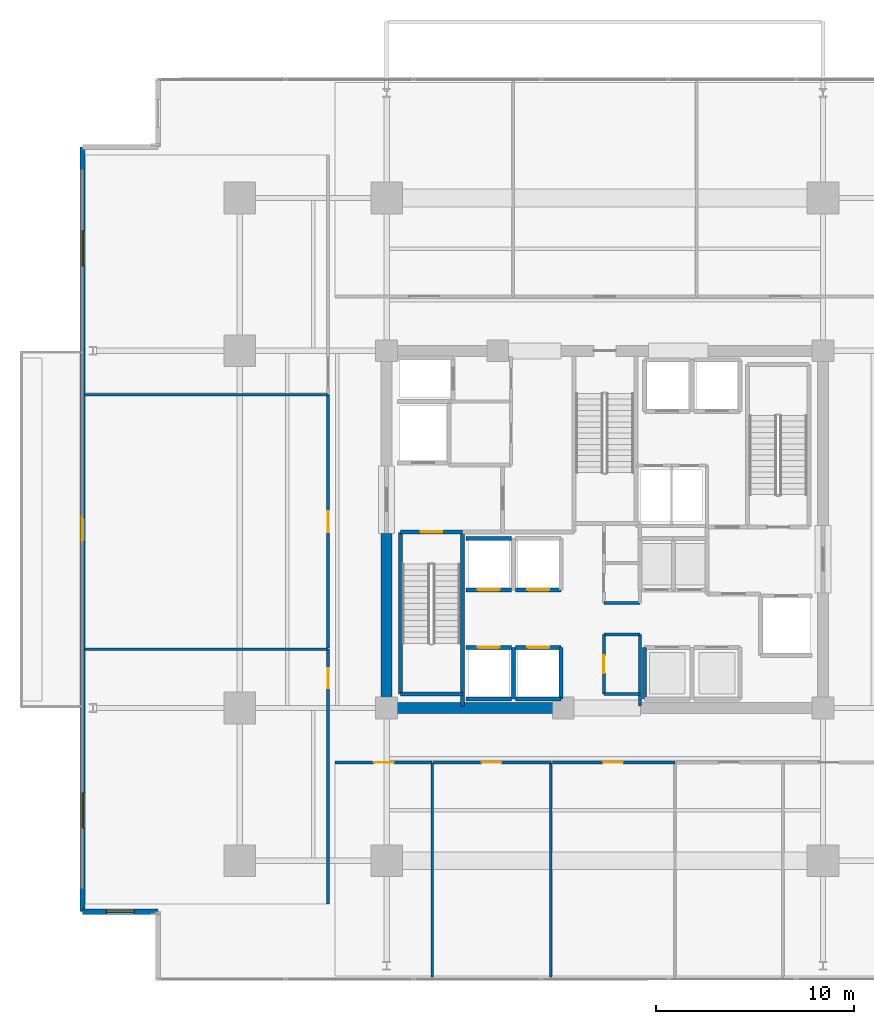
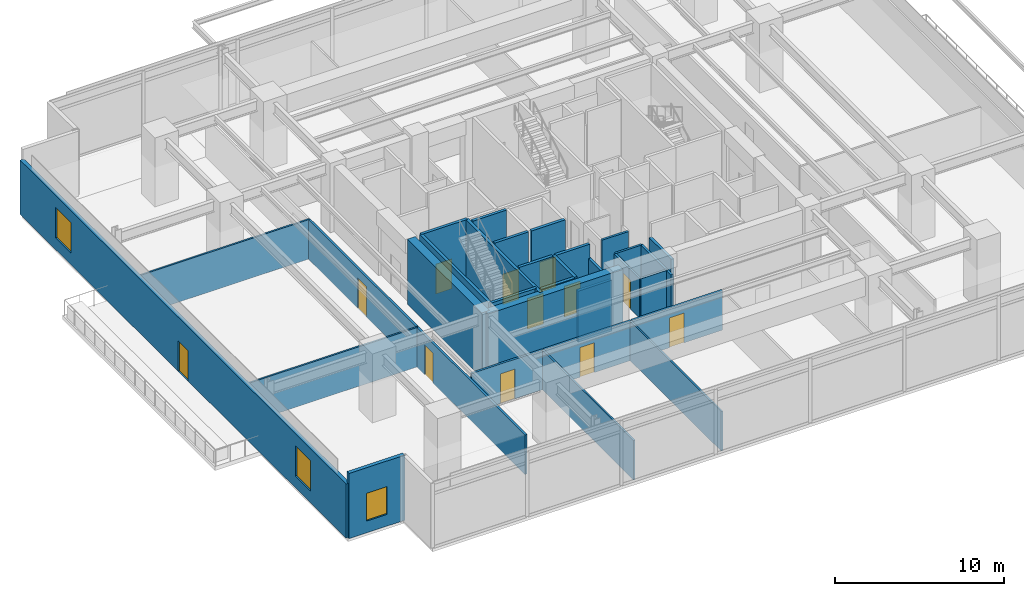
# One storey, part 16 of 24: 32 walls, 12 doors, 3 windows, 15 openings.
"""IFC4 building model written with IfcOpenShell, lengths in metres."""

from ifc_helpers import new_model, si_unit, direction, frame, frame_2d, origin, place, context, subcontext, project, spatial, rectangle, extrude, material, layer, layer_set, type_object, element, fill, save


model = new_model("IFC4")

# Units and contexts
model_context = context("Model", 3, precision=1e-05, world=origin(), true_north=direction((0.0, 1.0)))
body_context = subcontext(model_context, "Body", "Model", "MODEL_VIEW")
ifc_project = project(units=[si_unit("LENGTHUNIT", "METRE"), si_unit("AREAUNIT", "SQUARE_METRE"), si_unit("VOLUMEUNIT", "CUBIC_METRE"), si_unit("PLANEANGLEUNIT", "RADIAN"), si_unit("MASSUNIT", "GRAM", prefix="KILO")], contexts=[model_context])

# Site, building, storey
site_placement = place(None, origin())
site = spatial("IfcSite", under=ifc_project, at=site_placement, CompositionType="ELEMENT")
building_placement = place(site_placement, origin())
building = spatial("IfcBuilding", under=site, at=building_placement, Name="Kovane Verandah Tower", CompositionType="ELEMENT")
storey_placement = place(building_placement, frame((0.0, 0.0, 118.39990234375)))
storey = spatial("IfcBuildingStorey", under=building, at=storey_placement, Name="L27", CompositionType="ELEMENT", Elevation=118.39990234375)

# Walls
ifc_material_1 = material(Name="Fire-Rated Gypsum Stud Partition", Category="gypsum")
ifc_layer_1 = layer(ifc_material_1, 0.14990234375)
ifc_layer_set_1 = layer_set([ifc_layer_1], Name="Fire-Rated Gypsum Stud Partition")
wall_type_1 = type_object("IfcWallType", Name="WL-COR-150", PredefinedType="PARTITIONING", material=ifc_layer_set_1)
for number, where, z_axis, x_axis, name in (
    (1, (39.949951171875, 19.199951171875, 0.0), (0.0, 0.0, 1.0), (1.0, 0.0, 0.0), "L27 Central Core Strip South Wall"),
    (2, (39.949951171875, 22.199951171875, 0.0), (0.0, 0.0, 1.0), (1.0, 0.0, 0.0), "L27 Core Cross-Passage South Wall"),
    (3, (39.949951171875, 23.800048828125, 0.0), (0.0, 0.0, 1.0), (1.0, 0.0, 0.0), "L27 Core Cross-Passage North Wall"),
):
    element("IfcWall", number, at=place(storey_placement, frame(where, z_axis=z_axis, x_axis=x_axis)), inside=storey, type_object=wall_type_1, Name=name, PredefinedType="PARTITIONING", context=body_context, shape_type="SweptSolid", body=[
        extrude(rectangle(XDim=1.81005859375, YDim=0.14990234375, at=frame_2d((0.905029296875, 0.0))), origin(), (0.0, 0.0, 1.0), 2.85009765625),
    ])
wall_1_placement = place(storey_placement, frame((41.760009765625, 18.60009765625, 0.0), z_axis=(0.0, 0.0, 1.0), x_axis=(0.0, 1.0, 0.0)))
element("IfcWall", 4, at=wall_1_placement, inside=storey, type_object=wall_type_1, Name="L27 Central Core Strip Lower East Wall", PredefinedType="PARTITIONING", context=body_context, shape_type="SweptSolid", body=[
    extrude(rectangle(XDim=3.599853515625, YDim=0.14990234375, at=frame_2d((1.7998046875, 0.0))), origin(), (0.0, 0.0, 1.0), 2.85009765625),
])

# Wall, opening, door
wall_2_placement = place(storey_placement, frame((39.949951171875, 19.199951171875, 0.0), z_axis=(0.0, 0.0, 1.0), x_axis=(0.0, 1.0, 0.0)))
wall_2 = element("IfcWall", 5, at=wall_2_placement, inside=storey, type_object=wall_type_1, Name="L27 Male Toilet Partition", PredefinedType="PARTITIONING", context=body_context, shape_type="SweptSolid", body=[
    extrude(rectangle(XDim=3.0, YDim=0.14990234375, at=frame_2d((1.5, 0.0))), origin(), (0.0, 0.0, 1.0), 2.85009765625),
])
opening_1_placement = place(wall_2_placement, frame((1.050048828125, 0.0, 0.0)))
opening_1 = element("IfcOpeningElement", 6, at=opening_1_placement, cuts=wall_2, Name="Opening DR-L27-027", PredefinedType="OPENING", context=body_context, shape_type="SweptSolid", body=[
    extrude(rectangle(XDim=0.89990234375, YDim=2.10009765625, at=frame_2d((0.449951171875, 1.050048828125))), frame((0.0, 0.074951171875, 0.0), z_axis=(0.0, -1.0, 0.0), x_axis=(1.0, 0.0, 0.0)), (0.0, 0.0, 1.0), 0.14990234375),
])
ifc_material_2 = material(Name="Moisture-Resistant Laminate Washroom Door", Category="wood")
door_type_1 = type_object("IfcDoorType", Name="DR-WC-900", OperationType="SINGLE_SWING_LEFT", PredefinedType="DOOR", material=ifc_material_2)
door_1_placement = place(opening_1_placement, origin())
door_1 = element("IfcDoor", 7, at=door_1_placement, inside=storey, type_object=door_type_1, Name="L27 Male Toilet Door", OperationType="SINGLE_SWING_RIGHT", OverallHeight=2.10009765625, OverallWidth=0.89990234375, PredefinedType="DOOR", context=body_context, shape_type="SweptSolid", body=[
    extrude(rectangle(XDim=0.89990234375, YDim=2.10009765625, at=frame_2d((0.449951171875, 1.050048828125))), frame((0.0, 0.02490234375, 0.0), z_axis=(0.0, -1.0, 0.0), x_axis=(1.0, 0.0, 0.0)), (0.0, 0.0, 1.0), 0.050048828125),
])
fill(opening_1, door_1)

wall_3_placement = place(storey_placement, frame((26.39990234375, 15.75, 0.0), z_axis=(0.0, 0.0, 1.0), x_axis=(1.0, 0.0, 0.0)))
wall_3 = element("IfcWall", 8, at=wall_3_placement, inside=storey, type_object=wall_type_1, Name="L27 Meeting Room S1 Corridor Partition", PredefinedType="PARTITIONING", context=body_context, shape_type="SweptSolid", body=[
    extrude(rectangle(XDim=4.89599609375, YDim=0.14990234375, at=frame_2d((2.447998046875, 0.0))), origin(), (0.0, 0.0, 1.0), 2.85009765625),
])
opening_2_placement = place(wall_3_placement, frame((1.962890625, 0.0, 0.0)))
opening_2 = element("IfcOpeningElement", 9, at=opening_2_placement, cuts=wall_3, Name="Opening DR-L27-019", PredefinedType="OPENING", context=body_context, shape_type="SweptSolid", body=[
    extrude(rectangle(XDim=1.0, YDim=2.14990234375, at=frame_2d((0.5, 1.074951171875))), frame((0.0, 0.074951171875, 0.0), z_axis=(0.0, -1.0, 0.0), x_axis=(1.0, 0.0, 0.0)), (0.0, 0.0, 1.0), 0.14990234375),
])
ifc_material_3 = material(Name="FSC Spotted-Gum Timber Fire-Rated Office Door", Category="wood")
door_type_2 = type_object("IfcDoorType", Name="DR-OFF-1000", OperationType="SINGLE_SWING_LEFT", PredefinedType="DOOR", material=ifc_material_3)
door_2_placement = place(opening_2_placement, origin())
door_2 = element("IfcDoor", 10, at=door_2_placement, inside=storey, type_object=door_type_2, Name="L27 Meeting Room S1 Entrance Door", OperationType="SINGLE_SWING_RIGHT", OverallHeight=2.14990234375, OverallWidth=1.0, PredefinedType="DOOR", context=body_context, shape_type="SweptSolid", body=[
    extrude(rectangle(XDim=1.0, YDim=2.14990234375, at=frame_2d((0.5, 1.074951171875))), frame((0.0, 0.02490234375, 0.0), z_axis=(0.0, -1.0, 0.0), x_axis=(1.0, 0.0, 0.0)), (0.0, 0.0, 1.0), 0.050048828125),
])
fill(opening_2, door_2)

wall_4_placement = place(storey_placement, frame((31.365966796875, 15.75, 0.0), z_axis=(0.0, 0.0, 1.0), x_axis=(1.0, 0.0, 0.0)))
wall_4 = element("IfcWall", 11, at=wall_4_placement, inside=storey, type_object=wall_type_1, Name="L27 Focus Studio S2 Corridor Partition", PredefinedType="PARTITIONING", context=body_context, shape_type="SweptSolid", body=[
    extrude(rectangle(XDim=5.9140625, YDim=0.14990234375, at=frame_2d((2.95703125, 0.0))), origin(), (0.0, 0.0, 1.0), 2.85009765625),
])
opening_3_placement = place(wall_4_placement, frame((2.422119140625, 0.0, 0.0)))
opening_3 = element("IfcOpeningElement", 12, at=opening_3_placement, cuts=wall_4, Name="Opening DR-L27-020", PredefinedType="OPENING", context=body_context, shape_type="SweptSolid", body=[
    extrude(rectangle(XDim=1.0, YDim=2.14990234375, at=frame_2d((0.5, 1.074951171875))), frame((0.0, 0.074951171875, 0.0), z_axis=(0.0, -1.0, 0.0), x_axis=(1.0, 0.0, 0.0)), (0.0, 0.0, 1.0), 0.14990234375),
])
door_3_placement = place(opening_3_placement, origin())
door_3 = element("IfcDoor", 13, at=door_3_placement, inside=storey, type_object=door_type_2, Name="L27 Focus Studio S2 Entrance Door", OperationType="SINGLE_SWING_LEFT", OverallHeight=2.14990234375, OverallWidth=1.0, PredefinedType="DOOR", context=body_context, shape_type="SweptSolid", body=[
    extrude(rectangle(XDim=1.0, YDim=2.14990234375, at=frame_2d((0.5, 1.074951171875))), frame((0.0, 0.02490234375, 0.0), z_axis=(0.0, -1.0, 0.0), x_axis=(1.0, 0.0, 0.0)), (0.0, 0.0, 1.0), 0.050048828125),
])
fill(opening_3, door_3)

wall_5_placement = place(storey_placement, frame((37.35009765625, 15.75, 0.0), z_axis=(0.0, 0.0, 1.0), x_axis=(1.0, 0.0, 0.0)))
wall_5 = element("IfcWall", 14, at=wall_5_placement, inside=storey, type_object=wall_type_1, Name="L27 Breakout Pantry S3 Corridor Partition", PredefinedType="PARTITIONING", context=body_context, shape_type="SweptSolid", body=[
    extrude(rectangle(XDim=6.185791015625, YDim=0.14990234375, at=frame_2d((3.0927734375, 0.0))), origin(), (0.0, 0.0, 1.0), 2.85009765625),
])
opening_4_placement = place(wall_5_placement, frame((2.55810546875, 0.0, 0.0)))
opening_4 = element("IfcOpeningElement", 15, at=opening_4_placement, cuts=wall_5, Name="Opening DR-L27-021", PredefinedType="OPENING", context=body_context, shape_type="SweptSolid", body=[
    extrude(rectangle(XDim=1.0, YDim=2.14990234375, at=frame_2d((0.5, 1.074951171875))), frame((0.0, 0.074951171875, 0.0), z_axis=(0.0, -1.0, 0.0), x_axis=(1.0, 0.0, 0.0)), (0.0, 0.0, 1.0), 0.14990234375),
])
door_4_placement = place(opening_4_placement, origin())
door_4 = element("IfcDoor", 16, at=door_4_placement, inside=storey, type_object=door_type_2, Name="L27 Breakout Pantry S3 Entrance Door", OperationType="SINGLE_SWING_RIGHT", OverallHeight=2.14990234375, OverallWidth=1.0, PredefinedType="DOOR", context=body_context, shape_type="SweptSolid", body=[
    extrude(rectangle(XDim=1.0, YDim=2.14990234375, at=frame_2d((0.5, 1.074951171875))), frame((0.0, 0.02490234375, 0.0), z_axis=(0.0, -1.0, 0.0), x_axis=(1.0, 0.0, 0.0)), (0.0, 0.0, 1.0), 0.050048828125),
])
fill(opening_4, door_4)

wall_6_placement = place(storey_placement, frame((26.050048828125, 8.629150390625, 0.0), z_axis=(0.0, 0.0, 1.0), x_axis=(0.0, 1.0, 0.0)))
wall_6 = element("IfcWall", 17, at=wall_6_placement, inside=storey, type_object=wall_type_1, Name="L27 Open Plan Office W1 Corridor Partition", PredefinedType="PARTITIONING", context=body_context, shape_type="SweptSolid", body=[
    extrude(rectangle(XDim=12.83203125, YDim=0.14990234375, at=frame_2d((6.416015625, 0.0))), origin(), (0.0, 0.0, 1.0), 2.85009765625),
])
opening_5_placement = place(wall_6_placement, frame((10.86669921875, 0.0, 0.0)))
opening_5 = element("IfcOpeningElement", 18, at=opening_5_placement, cuts=wall_6, Name="Opening DR-L27-028", PredefinedType="OPENING", context=body_context, shape_type="SweptSolid", body=[
    extrude(rectangle(XDim=1.0, YDim=2.14990234375, at=frame_2d((0.5, 1.074951171875))), frame((0.0, 0.074951171875, 0.0), z_axis=(0.0, -1.0, 0.0), x_axis=(1.0, 0.0, 0.0)), (0.0, 0.0, 1.0), 0.14990234375),
])
door_5_placement = place(opening_5_placement, origin())
door_5 = element("IfcDoor", 19, at=door_5_placement, inside=storey, type_object=door_type_2, Name="L27 Open Plan Office W1 Entrance Door", OperationType="SINGLE_SWING_LEFT", OverallHeight=2.14990234375, OverallWidth=1.0, PredefinedType="DOOR", context=body_context, shape_type="SweptSolid", body=[
    extrude(rectangle(XDim=1.0, YDim=2.14990234375, at=frame_2d((0.5, 1.074951171875))), frame((0.0, 0.02490234375, 0.0), z_axis=(0.0, -1.0, 0.0), x_axis=(1.0, 0.0, 0.0)), (0.0, 0.0, 1.0), 0.050048828125),
])
fill(opening_5, door_5)

wall_7_placement = place(storey_placement, frame((26.050048828125, 21.53125, 0.0), z_axis=(0.0, 0.0, 1.0), x_axis=(0.0, 1.0, 0.0)))
wall_7 = element("IfcWall", 20, at=wall_7_placement, inside=storey, type_object=wall_type_1, Name="L27 Executive Office W2 Corridor Partition", PredefinedType="PARTITIONING", context=body_context, shape_type="SweptSolid", body=[
    extrude(rectangle(XDim=12.76220703125, YDim=0.14990234375, at=frame_2d((6.381103515625, 0.0))), origin(), (0.0, 0.0, 1.0), 2.85009765625),
])
opening_6_placement = place(wall_7_placement, frame((5.821044921875, 0.0, 0.0)))
opening_6 = element("IfcOpeningElement", 21, at=opening_6_placement, cuts=wall_7, Name="Opening DR-L27-029", PredefinedType="OPENING", context=body_context, shape_type="SweptSolid", body=[
    extrude(rectangle(XDim=1.050048828125, YDim=2.199951171875, at=frame_2d((0.52490234375, 1.10009765625))), frame((0.0, 0.074951171875, 0.0), z_axis=(0.0, -1.0, 0.0), x_axis=(1.0, 0.0, 0.0)), (0.0, 0.0, 1.0), 0.14990234375),
])
ifc_material_4 = material(Name="FSC Blackbutt Timber Fire-Rated Executive Door", Category="wood")
door_type_3 = type_object("IfcDoorType", Name="DR-EXEC-1050", OperationType="SINGLE_SWING_LEFT", PredefinedType="DOOR", material=ifc_material_4)
door_6_placement = place(opening_6_placement, origin())
door_6 = element("IfcDoor", 22, at=door_6_placement, inside=storey, type_object=door_type_3, Name="L27 Executive Office W2 Entrance Door", OperationType="SINGLE_SWING_RIGHT", OverallHeight=2.199951171875, OverallWidth=1.050048828125, PredefinedType="DOOR", context=body_context, shape_type="SweptSolid", body=[
    extrude(rectangle(XDim=1.050048828125, YDim=2.199951171875, at=frame_2d((0.52490234375, 1.10009765625))), frame((0.0, 0.02490234375, 0.0), z_axis=(0.0, -1.0, 0.0), x_axis=(1.0, 0.0, 0.0)), (0.0, 0.0, 1.0), 0.050048828125),
])
fill(opening_6, door_6)

# Walls
ifc_material_5 = material(Name="Concrete C60/75", Category="concrete")
ifc_layer_2 = layer(ifc_material_5, 0.550048828125)
ifc_layer_set_2 = layer_set([ifc_layer_2], Name="Concrete C60/75")
wall_type_2 = type_object("IfcWallType", Name="WL-CORE-550", PredefinedType="SHEAR", material=ifc_layer_set_2)
wall_8_placement = place(storey_placement, frame((29.0, 18.5, 0.0), z_axis=(0.0, 0.0, 1.0), x_axis=(1.0, 0.0, 0.0)))
element("IfcWall", 23, at=wall_8_placement, inside=storey, type_object=wall_type_2, Name="L27 Core Shear Wall CS-1", PredefinedType="SHEAR", context=body_context, shape_type="SweptSolid", body=[
    extrude(rectangle(XDim=9.199951171875, YDim=0.550048828125, at=frame_2d((4.60009765625, 0.0))), origin(), (0.0, 0.0, 1.0), 4.7001953125),
])
wall_9_placement = place(storey_placement, frame((29.0, 18.5, 0.0), z_axis=(0.0, 0.0, 1.0), x_axis=(0.0, 1.0, 0.0)))
element("IfcWall", 24, at=wall_9_placement, inside=storey, type_object=wall_type_2, Name="L27 Core Shear Wall CW-1", PredefinedType="SHEAR", context=body_context, shape_type="SweptSolid", body=[
    extrude(rectangle(XDim=8.800048828125, YDim=0.550048828125, at=frame_2d((4.39990234375, 0.0))), origin(), (0.0, 0.0, 1.0), 4.7001953125),
])
ifc_material_6 = material(Name="Concrete C45/55 Lift Shaft Wall", Category="concrete")
ifc_layer_3 = layer(ifc_material_6, 0.199951171875)
ifc_layer_set_3 = layer_set([ifc_layer_3], Name="Concrete C45/55 Lift Shaft Wall")
wall_type_3 = type_object("IfcWallType", Name="WL-LIFT-200", PredefinedType="SOLIDWALL", material=ifc_layer_set_3)
wall_10_placement = place(storey_placement, frame((33.0, 18.949951171875, 0.0), z_axis=(0.0, 0.0, 1.0), x_axis=(1.0, 0.0, 0.0)))
element("IfcWall", 25, at=wall_10_placement, inside=storey, type_object=wall_type_3, Name="L27 Lift PL-L1 S Shaft Wall", PredefinedType="SOLIDWALL", context=body_context, shape_type="SweptSolid", body=[
    extrude(rectangle(XDim=2.300048828125, YDim=0.199951171875, at=frame_2d((1.14990234375, 0.0))), origin(), (0.0, 0.0, 1.0), 4.7001953125),
])

# Wall, opening, door
wall_11_placement = place(storey_placement, frame((35.300048828125, 21.550048828125, 0.0), z_axis=(0.0, 0.0, 1.0), x_axis=(-1.0, 0.0, 0.0)))
wall_11 = element("IfcWall", 26, at=wall_11_placement, inside=storey, type_object=wall_type_3, Name="L27 Lift PL-L1 N Shaft Wall", PredefinedType="SOLIDWALL", context=body_context, shape_type="SweptSolid", body=[
    extrude(rectangle(XDim=2.300048828125, YDim=0.199951171875, at=frame_2d((1.14990234375, 0.0))), origin(), (0.0, 0.0, 1.0), 4.7001953125),
])
opening_7_placement = place(wall_11_placement, frame((0.60009765625, 0.0, 0.0)))
opening_7 = element("IfcOpeningElement", 27, at=opening_7_placement, cuts=wall_11, Name="Opening LD-L27-005", PredefinedType="OPENING", context=body_context, shape_type="SweptSolid", body=[
    extrude(rectangle(XDim=1.10009765625, YDim=2.199951171875, at=frame_2d((0.550048828125, 1.10009765625))), frame((0.0, 0.10009765625, 0.0), z_axis=(0.0, -1.0, 0.0), x_axis=(1.0, 0.0, 0.0)), (0.0, 0.0, 1.0), 0.199951171875),
])
ifc_material_7 = material(Name="Brushed Stainless Steel Sliding Lift Landing Door", Category="steel")
door_type_4 = type_object("IfcDoorType", Name="DR-LIFT-1100", OperationType="SLIDING_TO_RIGHT", PredefinedType="DOOR", material=ifc_material_7)
door_7_placement = place(opening_7_placement, origin())
door_7 = element("IfcDoor", 28, at=door_7_placement, inside=storey, type_object=door_type_4, Name="L27 Lift PL-L1 Sliding Landing Door", OperationType="SLIDING_TO_RIGHT", OverallHeight=2.199951171875, OverallWidth=1.10009765625, PredefinedType="DOOR", context=body_context, shape_type="SweptSolid", body=[
    extrude(rectangle(XDim=1.10009765625, YDim=2.199951171875, at=frame_2d((0.550048828125, 1.10009765625))), frame((0.0, 0.02490234375, 0.0), z_axis=(0.0, -1.0, 0.0), x_axis=(1.0, 0.0, 0.0)), (0.0, 0.0, 1.0), 0.050048828125),
])
fill(opening_7, door_7)

# Walls
wall_12_placement = place(storey_placement, frame((35.39990234375, 18.949951171875, 0.0), z_axis=(0.0, 0.0, 1.0), x_axis=(0.0, 1.0, 0.0)))
element("IfcWall", 29, at=wall_12_placement, inside=storey, type_object=wall_type_3, Name="L27 Lift PL-L1 and PL-L2 Shared Shaft Wall", PredefinedType="SOLIDWALL", context=body_context, shape_type="SweptSolid", body=[
    extrude(rectangle(XDim=2.60009765625, YDim=0.199951171875, at=frame_2d((1.300048828125, 0.0))), origin(), (0.0, 0.0, 1.0), 4.7001953125),
])
wall_13_placement = place(storey_placement, frame((35.5, 18.949951171875, 0.0), z_axis=(0.0, 0.0, 1.0), x_axis=(1.0, 0.0, 0.0)))
element("IfcWall", 30, at=wall_13_placement, inside=storey, type_object=wall_type_3, Name="L27 Lift PL-L2 S Shaft Wall", PredefinedType="SOLIDWALL", context=body_context, shape_type="SweptSolid", body=[
    extrude(rectangle(XDim=2.300048828125, YDim=0.199951171875, at=frame_2d((1.14990234375, 0.0))), origin(), (0.0, 0.0, 1.0), 3.68017578125),
])

# Wall, opening, door
wall_14_placement = place(storey_placement, frame((37.800048828125, 21.550048828125, 0.0), z_axis=(0.0, 0.0, 1.0), x_axis=(-1.0, 0.0, 0.0)))
wall_14 = element("IfcWall", 31, at=wall_14_placement, inside=storey, type_object=wall_type_3, Name="L27 Lift PL-L2 N Shaft Wall", PredefinedType="SOLIDWALL", context=body_context, shape_type="SweptSolid", body=[
    extrude(rectangle(XDim=2.300048828125, YDim=0.199951171875, at=frame_2d((1.14990234375, 0.0))), origin(), (0.0, 0.0, 1.0), 4.7001953125),
])
opening_8_placement = place(wall_14_placement, frame((0.60009765625, 0.0, 0.0)))
opening_8 = element("IfcOpeningElement", 32, at=opening_8_placement, cuts=wall_14, Name="Opening LD-L27-006", PredefinedType="OPENING", context=body_context, shape_type="SweptSolid", body=[
    extrude(rectangle(XDim=1.10009765625, YDim=2.199951171875, at=frame_2d((0.550048828125, 1.10009765625))), frame((0.0, 0.10009765625, 0.0), z_axis=(0.0, -1.0, 0.0), x_axis=(1.0, 0.0, 0.0)), (0.0, 0.0, 1.0), 0.199951171875),
])
door_8_placement = place(opening_8_placement, origin())
door_8 = element("IfcDoor", 33, at=door_8_placement, inside=storey, type_object=door_type_4, Name="L27 Lift PL-L2 Sliding Landing Door", OperationType="SLIDING_TO_RIGHT", OverallHeight=2.199951171875, OverallWidth=1.10009765625, PredefinedType="DOOR", context=body_context, shape_type="SweptSolid", body=[
    extrude(rectangle(XDim=1.10009765625, YDim=2.199951171875, at=frame_2d((0.550048828125, 1.10009765625))), frame((0.0, 0.02490234375, 0.0), z_axis=(0.0, -1.0, 0.0), x_axis=(1.0, 0.0, 0.0)), (0.0, 0.0, 1.0), 0.050048828125),
])
fill(opening_8, door_8)

# Wall
wall_15_placement = place(storey_placement, frame((37.800048828125, 18.949951171875, 0.0), z_axis=(0.0, 0.0, 1.0), x_axis=(0.0, 1.0, 0.0)))
element("IfcWall", 34, at=wall_15_placement, inside=storey, type_object=wall_type_3, Name="L27 Lift PL-L2 E Shaft Wall", PredefinedType="SOLIDWALL", context=body_context, shape_type="SweptSolid", body=[
    extrude(rectangle(XDim=2.60009765625, YDim=0.199951171875, at=frame_2d((1.300048828125, 0.0))), origin(), (0.0, 0.0, 1.0), 3.68017578125),
])

# Wall, opening, door
wall_16_placement = place(storey_placement, frame((33.0, 24.449951171875, 0.0), z_axis=(0.0, 0.0, 1.0), x_axis=(1.0, 0.0, 0.0)))
wall_16 = element("IfcWall", 35, at=wall_16_placement, inside=storey, type_object=wall_type_3, Name="L27 Lift PL-L3 S Shaft Wall", PredefinedType="SOLIDWALL", context=body_context, shape_type="SweptSolid", body=[
    extrude(rectangle(XDim=2.300048828125, YDim=0.199951171875, at=frame_2d((1.14990234375, 0.0))), origin(), (0.0, 0.0, 1.0), 4.7001953125),
])
opening_9_placement = place(wall_16_placement, frame((0.60009765625, 0.0, 0.0)))
opening_9 = element("IfcOpeningElement", 36, at=opening_9_placement, cuts=wall_16, Name="Opening LD-L27-007", PredefinedType="OPENING", context=body_context, shape_type="SweptSolid", body=[
    extrude(rectangle(XDim=1.10009765625, YDim=2.199951171875, at=frame_2d((0.550048828125, 1.10009765625))), frame((0.0, 0.10009765625, 0.0), z_axis=(0.0, -1.0, 0.0), x_axis=(1.0, 0.0, 0.0)), (0.0, 0.0, 1.0), 0.199951171875),
])
door_9_placement = place(opening_9_placement, origin())
door_9 = element("IfcDoor", 37, at=door_9_placement, inside=storey, type_object=door_type_4, Name="L27 Lift PL-L3 Sliding Landing Door", OperationType="SLIDING_TO_RIGHT", OverallHeight=2.199951171875, OverallWidth=1.10009765625, PredefinedType="DOOR", context=body_context, shape_type="SweptSolid", body=[
    extrude(rectangle(XDim=1.10009765625, YDim=2.199951171875, at=frame_2d((0.550048828125, 1.10009765625))), frame((0.0, 0.02490234375, 0.0), z_axis=(0.0, -1.0, 0.0), x_axis=(1.0, 0.0, 0.0)), (0.0, 0.0, 1.0), 0.050048828125),
])
fill(opening_9, door_9)

# Wall
wall_17_placement = place(storey_placement, frame((35.300048828125, 27.050048828125, 0.0), z_axis=(0.0, 0.0, 1.0), x_axis=(-1.0, 0.0, 0.0)))
element("IfcWall", 38, at=wall_17_placement, inside=storey, type_object=wall_type_3, Name="L27 Lift PL-L3 N Shaft Wall", PredefinedType="SOLIDWALL", context=body_context, shape_type="SweptSolid", body=[
    extrude(rectangle(XDim=2.300048828125, YDim=0.199951171875, at=frame_2d((1.14990234375, 0.0))), origin(), (0.0, 0.0, 1.0), 4.7001953125),
])

# Wall, opening, door
wall_18_placement = place(storey_placement, frame((35.5, 24.449951171875, 0.0), z_axis=(0.0, 0.0, 1.0), x_axis=(1.0, 0.0, 0.0)))
wall_18 = element("IfcWall", 39, at=wall_18_placement, inside=storey, type_object=wall_type_3, Name="L27 Lift PL-L4 S Shaft Wall", PredefinedType="SOLIDWALL", context=body_context, shape_type="SweptSolid", body=[
    extrude(rectangle(XDim=2.300048828125, YDim=0.199951171875, at=frame_2d((1.14990234375, 0.0))), origin(), (0.0, 0.0, 1.0), 4.7001953125),
])
opening_10_placement = place(wall_18_placement, frame((0.60009765625, 0.0, 0.0)))
opening_10 = element("IfcOpeningElement", 40, at=opening_10_placement, cuts=wall_18, Name="Opening LD-L27-008", PredefinedType="OPENING", context=body_context, shape_type="SweptSolid", body=[
    extrude(rectangle(XDim=1.10009765625, YDim=2.199951171875, at=frame_2d((0.550048828125, 1.10009765625))), frame((0.0, 0.10009765625, 0.0), z_axis=(0.0, -1.0, 0.0), x_axis=(1.0, 0.0, 0.0)), (0.0, 0.0, 1.0), 0.199951171875),
])
door_10_placement = place(opening_10_placement, origin())
door_10 = element("IfcDoor", 41, at=door_10_placement, inside=storey, type_object=door_type_4, Name="L27 Lift PL-L4 Sliding Landing Door", OperationType="SLIDING_TO_RIGHT", OverallHeight=2.199951171875, OverallWidth=1.10009765625, PredefinedType="DOOR", context=body_context, shape_type="SweptSolid", body=[
    extrude(rectangle(XDim=1.10009765625, YDim=2.199951171875, at=frame_2d((0.550048828125, 1.10009765625))), frame((0.0, 0.02490234375, 0.0), z_axis=(0.0, -1.0, 0.0), x_axis=(1.0, 0.0, 0.0)), (0.0, 0.0, 1.0), 0.050048828125),
])
fill(opening_10, door_10)

# Walls
wall_19_placement = place(storey_placement, frame((42.0, 21.550048828125, 0.0), z_axis=(0.0, 0.0, 1.0), x_axis=(0.0, -1.0, 0.0)))
element("IfcWall", 42, at=wall_19_placement, inside=storey, type_object=wall_type_3, Name="L27 Lift PL-M1 W Shaft Wall", PredefinedType="SOLIDWALL", context=body_context, shape_type="SweptSolid", body=[
    extrude(rectangle(XDim=2.60009765625, YDim=0.199951171875, at=frame_2d((1.300048828125, 0.0))), origin(), (0.0, 0.0, 1.0), 3.68017578125),
])
ifc_material_8 = material(Name="Acoustic Fire-Rated Gypsum Partition", Category="gypsum")
ifc_layer_4 = layer(ifc_material_8, 0.1201171875)
ifc_layer_set_4 = layer_set([ifc_layer_4], Name="Acoustic Fire-Rated Gypsum Partition")
wall_type_4 = type_object("IfcWallType", Name="WL-PART-120", PredefinedType="PARTITIONING", material=ifc_layer_set_4)
for number, where, z_axis, x_axis, name in (
    (43, (31.2958984375, 4.92919921875, 0.0), (0.0, 0.0, 1.0), (0.0, 1.0, 0.0), "L27 Meeting Room S1 Dividing Partition"),
    (44, (37.280029296875, 4.92919921875, 0.0), (0.0, 0.0, 1.0), (0.0, 1.0, 0.0), "L27 Focus Studio S2 Dividing Partition"),
):
    element("IfcWall", number, at=place(storey_placement, frame(where, z_axis=z_axis, x_axis=x_axis)), inside=storey, type_object=wall_type_4, Name=name, PredefinedType="PARTITIONING", context=body_context, shape_type="SweptSolid", body=[
        extrude(rectangle(XDim=10.82080078125, YDim=0.1201171875, at=frame_2d((5.410400390625, 0.0))), origin(), (0.0, 0.0, 1.0), 2.85009765625),
    ])
for number, where, z_axis, x_axis, name in (
    (45, (13.77001953125, 21.461181640625, 0.0), (0.0, 0.0, 1.0), (1.0, 0.0, 0.0), "L27 Open Plan Office W1 Dividing Partition"),
    (46, (13.77001953125, 34.29345703125, 0.0), (0.0, 0.0, 1.0), (1.0, 0.0, 0.0), "L27 Executive Office W2 Dividing Partition"),
):
    element("IfcWall", number, at=place(storey_placement, frame(where, z_axis=z_axis, x_axis=x_axis)), inside=storey, type_object=wall_type_4, Name=name, PredefinedType="PARTITIONING", context=body_context, shape_type="SweptSolid", body=[
        extrude(rectangle(XDim=12.280029296875, YDim=0.1201171875, at=frame_2d((6.14013671875, 0.0))), origin(), (0.0, 0.0, 1.0), 2.85009765625),
    ])
ifc_material_9 = material(Name="Concrete C45/55", Category="concrete")
ifc_layer_5 = layer(ifc_material_9, 0.199951171875)
ifc_layer_set_5 = layer_set([ifc_layer_5], Name="Concrete C45/55")
wall_type_5 = type_object("IfcWallType", Name="WL-SHAFT-200", PredefinedType="SOLIDWALL", material=ifc_layer_set_5)
wall_20_placement = place(storey_placement, frame((29.699951171875, 19.199951171875, 0.0), z_axis=(0.0, 0.0, 1.0), x_axis=(0.0, 1.0, 0.0)))
element("IfcWall", 47, at=wall_20_placement, inside=storey, type_object=wall_type_5, Name="W-L27-ST01-W", PredefinedType="SOLIDWALL", context=body_context, shape_type="SweptSolid", body=[
    extrude(rectangle(XDim=8.150146484375, YDim=0.199951171875, at=frame_2d((4.0751953125, 0.0))), origin(), (0.0, 0.0, 1.0), 4.7001953125),
])
wall_21_placement = place(storey_placement, frame((29.699951171875, 19.199951171875, 0.0), z_axis=(0.0, 0.0, 1.0), x_axis=(1.0, 0.0, 0.0)))
element("IfcWall", 48, at=wall_21_placement, inside=storey, type_object=wall_type_5, Name="W-L27-ST01-S", PredefinedType="SOLIDWALL", context=body_context, shape_type="SweptSolid", body=[
    extrude(rectangle(XDim=3.1201171875, YDim=0.199951171875, at=frame_2d((1.56005859375, 0.0))), origin(), (0.0, 0.0, 1.0), 4.7001953125),
])
wall_22_placement = place(storey_placement, frame((32.820068359375, 18.60009765625, 0.0), z_axis=(0.0, 0.0, 1.0), x_axis=(0.0, 1.0, 0.0)))
element("IfcWall", 49, at=wall_22_placement, inside=storey, type_object=wall_type_5, Name="W-L27-ST01-E", PredefinedType="SOLIDWALL", context=body_context, shape_type="SweptSolid", body=[
    extrude(rectangle(XDim=8.77978515625, YDim=0.199951171875, at=frame_2d((4.389892578125, 0.0))), origin(), (0.0, 0.0, 1.0), 4.7001953125),
])

# Wall, opening, door
wall_23_placement = place(storey_placement, frame((29.699951171875, 27.3798828125, 0.0), z_axis=(0.0, 0.0, 1.0), x_axis=(1.0, 0.0, 0.0)))
wall_23 = element("IfcWall", 50, at=wall_23_placement, inside=storey, type_object=wall_type_5, Name="W-L27-ST01-N", PredefinedType="SOLIDWALL", context=body_context, shape_type="SweptSolid", body=[
    extrude(rectangle(XDim=3.1201171875, YDim=0.199951171875, at=frame_2d((1.56005859375, 0.0))), origin(), (0.0, 0.0, 1.0), 4.7001953125),
])
opening_11_placement = place(wall_23_placement, frame((1.010009765625, 0.0, 0.0)))
opening_11 = element("IfcOpeningElement", 51, at=opening_11_placement, cuts=wall_23, Name="Opening DR-L27-009", PredefinedType="OPENING", context=body_context, shape_type="SweptSolid", body=[
    extrude(rectangle(XDim=1.10009765625, YDim=2.14990234375, at=frame_2d((0.550048828125, 1.074951171875))), frame((0.0, 0.10009765625, 0.0), z_axis=(0.0, -1.0, 0.0), x_axis=(1.0, 0.0, 0.0)), (0.0, 0.0, 1.0), 0.199951171875),
])
ifc_material_10 = material(Name="Fire-Rated Steel Exit Door", Category="steel")
door_type_5 = type_object("IfcDoorType", Name="DR-STAIR-1100", OperationType="SINGLE_SWING_LEFT", PredefinedType="DOOR", material=ifc_material_10)
door_11_placement = place(opening_11_placement, origin())
door_11 = element("IfcDoor", 52, at=door_11_placement, inside=storey, type_object=door_type_5, Name="L27 ST-01 Fire Exit Stair Door", OperationType="SINGLE_SWING_LEFT", OverallHeight=2.14990234375, OverallWidth=1.10009765625, PredefinedType="DOOR", context=body_context, shape_type="SweptSolid", body=[
    extrude(rectangle(XDim=1.10009765625, YDim=2.14990234375, at=frame_2d((0.550048828125, 1.074951171875))), frame((0.0, 0.02490234375, 0.0), z_axis=(0.0, -1.0, 0.0), x_axis=(1.0, 0.0, 0.0)), (0.0, 0.0, 1.0), 0.050048828125),
])
fill(opening_11, door_11)

# Wall, openings, door, windows
ifc_material_11 = material(Name="Concrete C45/55 Insulated Spandrel Wall", Category="concrete")
ifc_layer_6 = layer(ifc_material_11, 0.260009765625)
ifc_layer_set_6 = layer_set([ifc_layer_6], Name="Concrete C45/55 Insulated Spandrel Wall")
wall_type_6 = type_object("IfcWallType", Name="WL-SPANDREL-260", PredefinedType="PARAPET", material=ifc_layer_set_6)
wall_24_placement = place(storey_placement, frame((13.670166015625, 46.77099609375, 0.0), z_axis=(0.0, 0.0, 1.0), x_axis=(0.0, -1.0, 0.0)))
wall_24 = element("IfcWall", 53, at=wall_24_placement, inside=storey, type_object=wall_type_6, Name="L27 W Verandah Access Facade Wall", PredefinedType="PARAPET", context=body_context, shape_type="SweptSolid", body=[
    extrude(rectangle(XDim=38.5419921875, YDim=0.260009765625, at=frame_2d((19.27099609375, 0.0))), origin(), (0.0, 0.0, 1.0), 3.910400390625),
])
opening_12_placement = place(wall_24_placement, frame((4.199951171875, 0.0, 0.85009765625)))
opening_12 = element("IfcOpeningElement", 54, at=opening_12_placement, cuts=wall_24, Name="Opening W-03", PredefinedType="OPENING", context=body_context, shape_type="SweptSolid", body=[
    extrude(rectangle(XDim=1.800048828125, YDim=2.199951171875, at=frame_2d((0.89990234375, 1.10009765625))), frame((0.0, 0.1298828125, 0.0), z_axis=(0.0, -1.0, 0.0), x_axis=(1.0, 0.0, 0.0)), (0.0, 0.0, 1.0), 0.260009765625),
])
opening_13_placement = place(wall_24_placement, frame((18.6708984375, 0.0, 0.0)))
opening_13 = element("IfcOpeningElement", 55, at=opening_13_placement, cuts=wall_24, Name="Opening DR-L27-002", PredefinedType="OPENING", context=body_context, shape_type="SweptSolid", body=[
    extrude(rectangle(XDim=1.199951171875, YDim=2.199951171875, at=frame_2d((0.60009765625, 1.10009765625))), frame((0.0, 0.1298828125, 0.0), z_axis=(0.0, -1.0, 0.0), x_axis=(1.0, 0.0, 0.0)), (0.0, 0.0, 1.0), 0.260009765625),
])
opening_14_placement = place(wall_24_placement, frame((32.541748046875, 0.0, 0.85009765625)))
opening_14 = element("IfcOpeningElement", 56, at=opening_14_placement, cuts=wall_24, Name="Opening W-03", PredefinedType="OPENING", context=body_context, shape_type="SweptSolid", body=[
    extrude(rectangle(XDim=1.800048828125, YDim=2.199951171875, at=frame_2d((0.89990234375, 1.10009765625))), frame((0.0, 0.1298828125, 0.0), z_axis=(0.0, -1.0, 0.0), x_axis=(1.0, 0.0, 0.0)), (0.0, 0.0, 1.0), 0.260009765625),
])
ifc_material_12 = material(Name="Cyclone-Rated Glazed Balcony Leaf Door", Category="aluminium")
door_type_6 = type_object("IfcDoorType", Name="DR-BAL-1200x2200", OperationType="SINGLE_SWING_LEFT", PredefinedType="DOOR", material=ifc_material_12)
door_12_placement = place(opening_13_placement, origin())
door_12 = element("IfcDoor", 57, at=door_12_placement, inside=storey, type_object=door_type_6, Name="L27 W Planted Balcony Access Door", OperationType="SINGLE_SWING_LEFT", OverallHeight=2.199951171875, OverallWidth=1.199951171875, PredefinedType="DOOR", context=body_context, shape_type="SweptSolid", body=[
    extrude(rectangle(XDim=1.199951171875, YDim=2.199951171875, at=frame_2d((0.60009765625, 1.10009765625))), frame((0.0, 0.02490234375, 0.0), z_axis=(0.0, -1.0, 0.0), x_axis=(1.0, 0.0, 0.0)), (0.0, 0.0, 1.0), 0.050048828125),
])
fill(opening_13, door_12)
ifc_material_13 = material(Name="Clear Low-E Laminated Double Glazing in Anodised Frame", Category="glass")
window_type_1 = type_object("IfcWindowType", Name="WN-NOTCH-1800x2200", PartitioningType="SINGLE_PANEL", PredefinedType="WINDOW", material=ifc_material_13)
window_1_placement = place(opening_12_placement, origin())
window_1 = element("IfcWindow", 58, at=window_1_placement, inside=storey, type_object=window_type_1, Name="L27 W Verandah View Window 1", OverallHeight=2.199951171875, OverallWidth=1.800048828125, PartitioningType="SINGLE_PANEL", PredefinedType="WINDOW", context=body_context, shape_type="SweptSolid", body=[
    extrude(rectangle(XDim=1.800048828125, YDim=2.199951171875, at=frame_2d((0.89990234375, 1.10009765625))), frame((0.0, 0.030029296875, 0.0), z_axis=(0.0, -1.0, 0.0), x_axis=(1.0, 0.0, 0.0)), (0.0, 0.0, 1.0), 0.06005859375),
])
fill(opening_12, window_1)
window_2_placement = place(opening_14_placement, origin())
window_2 = element("IfcWindow", 59, at=window_2_placement, inside=storey, type_object=window_type_1, Name="L27 W Verandah View Window 2", OverallHeight=2.199951171875, OverallWidth=1.800048828125, PartitioningType="SINGLE_PANEL", PredefinedType="WINDOW", context=body_context, shape_type="SweptSolid", body=[
    extrude(rectangle(XDim=1.800048828125, YDim=2.199951171875, at=frame_2d((0.89990234375, 1.10009765625))), frame((0.0, 0.030029296875, 0.0), z_axis=(0.0, -1.0, 0.0), x_axis=(1.0, 0.0, 0.0)), (0.0, 0.0, 1.0), 0.06005859375),
])
fill(opening_14, window_2)

# Wall, opening, window
wall_25_placement = place(storey_placement, frame((13.670166015625, 8.22900390625, 0.0), z_axis=(0.0, 0.0, 1.0), x_axis=(1.0, 0.0, 0.0)))
wall_25 = element("IfcWall", 60, at=wall_25_placement, inside=storey, type_object=wall_type_6, Name="L27 SW Notch Cheek Wall 1", PredefinedType="PARAPET", context=body_context, shape_type="SweptSolid", body=[
    extrude(rectangle(XDim=3.800048828125, YDim=0.260009765625, at=frame_2d((1.89990234375, 0.0))), origin(), (0.0, 0.0, 1.0), 4.7001953125),
])
opening_15_placement = place(wall_25_placement, frame((1.199951171875, 0.0, 0.85009765625)))
opening_15 = element("IfcOpeningElement", 61, at=opening_15_placement, cuts=wall_25, Name="Opening W-01", PredefinedType="OPENING", context=body_context, shape_type="SweptSolid", body=[
    extrude(rectangle(XDim=1.39990234375, YDim=2.0, at=frame_2d((0.699951171875, 1.0))), frame((0.0, 0.1298828125, 0.0), z_axis=(0.0, -1.0, 0.0), x_axis=(1.0, 0.0, 0.0)), (0.0, 0.0, 1.0), 0.260009765625),
])
window_type_2 = type_object("IfcWindowType", Name="WN-OPER-1400x2000", PartitioningType="SINGLE_PANEL", PredefinedType="WINDOW", material=ifc_material_13)
window_3_placement = place(opening_15_placement, origin())
window_3 = element("IfcWindow", 62, at=window_3_placement, inside=storey, type_object=window_type_2, Name="L27 SW Re-Entrant Corner Operable Window", OverallHeight=2.0, OverallWidth=1.39990234375, PartitioningType="SINGLE_PANEL", PredefinedType="WINDOW", context=body_context, shape_type="SweptSolid", body=[
    extrude(rectangle(XDim=1.39990234375, YDim=2.0, at=frame_2d((0.699951171875, 1.0))), frame((0.0, 0.030029296875, 0.0), z_axis=(0.0, -1.0, 0.0), x_axis=(1.0, 0.0, 0.0)), (0.0, 0.0, 1.0), 0.06005859375),
])
fill(opening_15, window_3)

save(model, "model.ifc")
